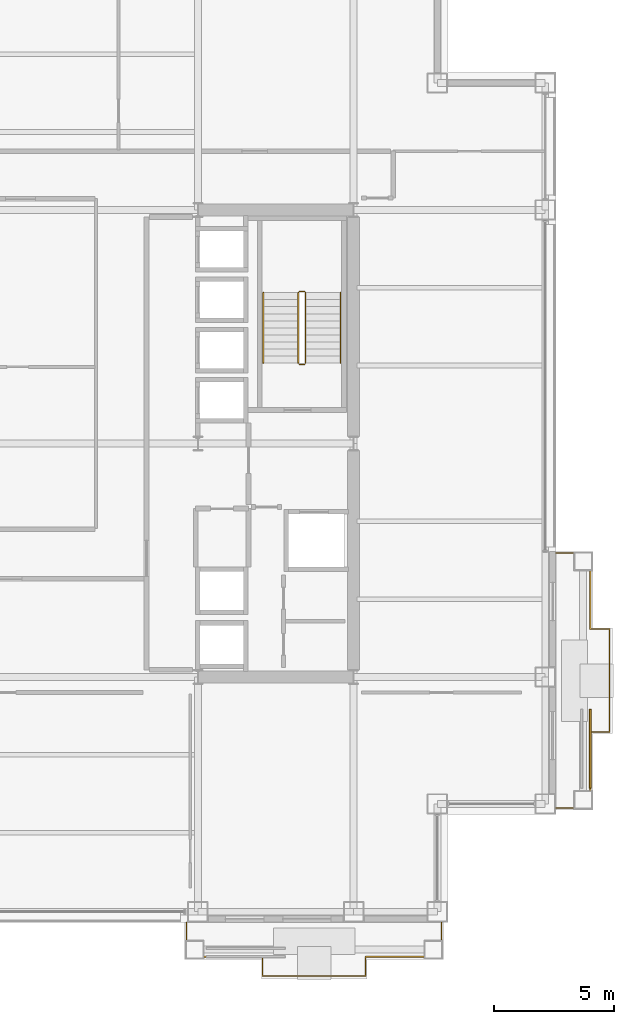
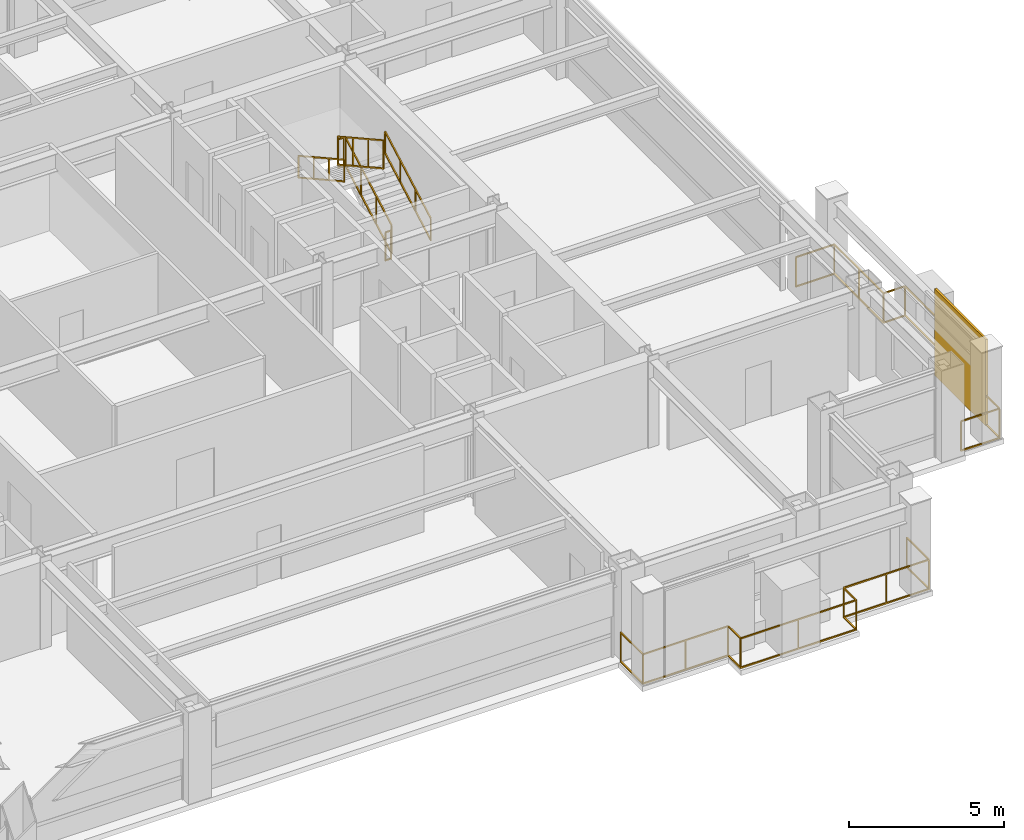
# One storey, part 28 of 29: 8 railings, 1 shading device.
"""IFC4 building model written with IfcOpenShell, lengths in metres."""

from ifc_helpers import new_model, si_unit, direction, frame, origin, origin_2d, place, context, subcontext, project, spatial, rectangle, extrude, material, layer, layer_set, type_object, element, save


model = new_model("IFC4")

# Units and contexts
model_context = context("Model", 3, precision=1e-05, world=origin(), true_north=direction((0.0, 1.0)))
body_context = subcontext(model_context, "Body", "Model", "MODEL_VIEW")
ifc_project = project(units=[si_unit("LENGTHUNIT", "METRE"), si_unit("AREAUNIT", "SQUARE_METRE"), si_unit("VOLUMEUNIT", "CUBIC_METRE"), si_unit("PLANEANGLEUNIT", "RADIAN"), si_unit("MASSUNIT", "GRAM", prefix="KILO")], contexts=[model_context])

# Site, building, storey
site_placement = place(None, origin())
site = spatial("IfcSite", under=ifc_project, at=site_placement, CompositionType="ELEMENT")
building_placement = place(site_placement, origin())
building = spatial("IfcBuilding", under=site, at=building_placement, Name="Brelmoor Portico Tower", CompositionType="ELEMENT")
storey_placement = place(building_placement, frame((0.0, 0.0, 95.39990234375)))
storey = spatial("IfcBuildingStorey", under=building, at=storey_placement, Name="L24", CompositionType="ELEMENT", Elevation=95.39990234375)

# Railings
ifc_material_1 = material(Name="Perforated Pale Champagne Aluminium Fretwork Guard", Category="aluminium")
railing_type_1 = type_object("IfcRailingType", Name="RL-BALUSTRADE-1200", PredefinedType="BALUSTRADE", material=ifc_material_1)
railing_1_placement = place(storey_placement, frame((7.580078125, -20.0, 0.0)))
element("IfcRailing", 1, at=railing_1_placement, inside=storey, type_object=railing_type_1, Name="L24 Tree Balcony Fretwork Balustrade S", PredefinedType="BALUSTRADE", context=body_context, shape_type="SweptSolid", body=[
    extrude(rectangle(XDim=0.048095703125, YDim=0.048095703125, at=origin_2d()), frame((0.0, 0.0, 1.17578125), z_axis=(0.0, -1.0, 0.0), x_axis=(1.0, 0.0, 0.0)), (0.0, 0.0, 1.0), 1.429931640625),
    extrude(rectangle(XDim=0.048095703125, YDim=0.048095703125, at=origin_2d()), frame((0.0, 0.0, 0.02392578125), z_axis=(0.0, -1.0, 0.0), x_axis=(1.0, 0.0, 0.0)), (0.0, 0.0, 1.0), 1.429931640625),
    extrude(rectangle(XDim=0.048095703125, YDim=0.048095703125, at=origin_2d()), frame((0.0, -1.429931640625, 1.17578125), z_axis=(1.0, 0.0, 0.0), x_axis=(0.0, 1.0, 0.0)), (0.0, 0.0, 1.0), 3.169921875),
    extrude(rectangle(XDim=0.048095703125, YDim=0.048095703125, at=origin_2d()), frame((0.0, -1.429931640625, 0.02392578125), z_axis=(1.0, 0.0, 0.0), x_axis=(0.0, 1.0, 0.0)), (0.0, 0.0, 1.0), 3.169921875),
    extrude(rectangle(XDim=0.048095703125, YDim=0.048095703125, at=origin_2d()), frame((3.169921875, -1.429931640625, 1.17578125), z_axis=(0.0, -1.0, 0.0), x_axis=(1.0, 0.0, 0.0)), (0.0, 0.0, 1.0), 0.800048828125),
    extrude(rectangle(XDim=0.048095703125, YDim=0.048095703125, at=origin_2d()), frame((3.169921875, -1.429931640625, 0.02392578125), z_axis=(0.0, -1.0, 0.0), x_axis=(1.0, 0.0, 0.0)), (0.0, 0.0, 1.0), 0.800048828125),
    extrude(rectangle(XDim=0.048095703125, YDim=0.048095703125, at=origin_2d()), frame((3.169921875, -2.22998046875, 1.17578125), z_axis=(1.0, 0.0, 0.0), x_axis=(0.0, 1.0, 0.0)), (0.0, 0.0, 1.0), 4.300048828125),
    extrude(rectangle(XDim=0.048095703125, YDim=0.048095703125, at=origin_2d()), frame((3.169921875, -2.22998046875, 0.02392578125), z_axis=(1.0, 0.0, 0.0), x_axis=(0.0, 1.0, 0.0)), (0.0, 0.0, 1.0), 4.300048828125),
    extrude(rectangle(XDim=0.048095703125, YDim=0.048095703125, at=origin_2d()), frame((7.469970703125, -2.22998046875, 1.17578125), z_axis=(0.0, 1.0, 0.0), x_axis=(-1.0, 0.0, 0.0)), (0.0, 0.0, 1.0), 0.800048828125),
    extrude(rectangle(XDim=0.048095703125, YDim=0.048095703125, at=origin_2d()), frame((7.469970703125, -2.22998046875, 0.02392578125), z_axis=(0.0, 1.0, 0.0), x_axis=(-1.0, 0.0, 0.0)), (0.0, 0.0, 1.0), 0.800048828125),
    extrude(rectangle(XDim=0.048095703125, YDim=0.048095703125, at=origin_2d()), frame((7.469970703125, -1.429931640625, 1.17578125), z_axis=(1.0, 0.0, 0.0), x_axis=(0.0, 1.0, 0.0)), (0.0, 0.0, 1.0), 3.169921875),
    extrude(rectangle(XDim=0.048095703125, YDim=0.048095703125, at=origin_2d()), frame((7.469970703125, -1.429931640625, 0.02392578125), z_axis=(1.0, 0.0, 0.0), x_axis=(0.0, 1.0, 0.0)), (0.0, 0.0, 1.0), 3.169921875),
    extrude(rectangle(XDim=0.048095703125, YDim=0.048095703125, at=origin_2d()), frame((10.639892578125, -1.429931640625, 1.17578125), z_axis=(0.0, 1.0, 0.0), x_axis=(-1.0, 0.0, 0.0)), (0.0, 0.0, 1.0), 1.429931640625),
    extrude(rectangle(XDim=0.048095703125, YDim=0.048095703125, at=origin_2d()), frame((10.639892578125, -1.429931640625, 0.02392578125), z_axis=(0.0, 1.0, 0.0), x_axis=(-1.0, 0.0, 0.0)), (0.0, 0.0, 1.0), 1.429931640625),
    extrude(rectangle(XDim=0.0419921875, YDim=0.0419921875, at=origin_2d()), origin(), (0.0, 0.0, 1.0), 1.15185546875),
    extrude(rectangle(XDim=0.0419921875, YDim=0.0419921875, at=origin_2d()), frame((0.0, -1.429931640625, 0.0)), (0.0, 0.0, 1.0), 1.15185546875),
    extrude(rectangle(XDim=0.0419921875, YDim=0.0419921875, at=origin_2d()), frame((1.5849609375, -1.429931640625, 0.0)), (0.0, 0.0, 1.0), 1.15185546875),
    extrude(rectangle(XDim=0.0419921875, YDim=0.0419921875, at=origin_2d()), frame((3.169921875, -1.429931640625, 0.0)), (0.0, 0.0, 1.0), 1.15185546875),
    extrude(rectangle(XDim=0.0419921875, YDim=0.0419921875, at=origin_2d()), frame((3.169921875, -2.22998046875, 0.0)), (0.0, 0.0, 1.0), 1.15185546875),
    extrude(rectangle(XDim=0.0419921875, YDim=0.0419921875, at=origin_2d()), frame((5.31982421875, -2.22998046875, 0.0)), (0.0, 0.0, 1.0), 1.15185546875),
    extrude(rectangle(XDim=0.0419921875, YDim=0.0419921875, at=origin_2d()), frame((7.469970703125, -2.22998046875, 0.0)), (0.0, 0.0, 1.0), 1.15185546875),
    extrude(rectangle(XDim=0.0419921875, YDim=0.0419921875, at=origin_2d()), frame((7.469970703125, -1.429931640625, 0.0)), (0.0, 0.0, 1.0), 1.15185546875),
    extrude(rectangle(XDim=0.0419921875, YDim=0.0419921875, at=origin_2d()), frame((9.054931640625, -1.429931640625, 0.0)), (0.0, 0.0, 1.0), 1.15185546875),
    extrude(rectangle(XDim=0.0419921875, YDim=0.0419921875, at=origin_2d()), frame((10.639892578125, -1.429931640625, 0.0)), (0.0, 0.0, 1.0), 1.15185546875),
    extrude(rectangle(XDim=0.0419921875, YDim=0.0419921875, at=origin_2d()), frame((10.639892578125, 0.0, 0.0)), (0.0, 0.0, 1.0), 1.15185546875),
])
railing_2_placement = place(storey_placement, frame((23.0, -15.219970703125, 0.0)))
element("IfcRailing", 2, at=railing_2_placement, inside=storey, type_object=railing_type_1, Name="L24 Tree Balcony Fretwork Balustrade E", PredefinedType="BALUSTRADE", context=body_context, shape_type="SweptSolid", body=[
    extrude(rectangle(XDim=0.048095703125, YDim=0.048095703125, at=origin_2d()), frame((0.0, 0.0, 1.17578125), z_axis=(1.0, 0.0, 0.0), x_axis=(0.0, 1.0, 0.0)), (0.0, 0.0, 1.0), 1.429931640625),
    extrude(rectangle(XDim=0.048095703125, YDim=0.048095703125, at=origin_2d()), frame((0.0, 0.0, 0.02392578125), z_axis=(1.0, 0.0, 0.0), x_axis=(0.0, 1.0, 0.0)), (0.0, 0.0, 1.0), 1.429931640625),
    extrude(rectangle(XDim=0.048095703125, YDim=0.048095703125, at=origin_2d()), frame((1.429931640625, 0.0, 1.17578125), z_axis=(0.0, 1.0, 0.0), x_axis=(-1.0, 0.0, 0.0)), (0.0, 0.0, 1.0), 3.169921875),
    extrude(rectangle(XDim=0.048095703125, YDim=0.048095703125, at=origin_2d()), frame((1.429931640625, 0.0, 0.02392578125), z_axis=(0.0, 1.0, 0.0), x_axis=(-1.0, 0.0, 0.0)), (0.0, 0.0, 1.0), 3.169921875),
    extrude(rectangle(XDim=0.048095703125, YDim=0.048095703125, at=origin_2d()), frame((1.429931640625, 3.169921875, 1.17578125), z_axis=(1.0, 0.0, 0.0), x_axis=(0.0, 1.0, 0.0)), (0.0, 0.0, 1.0), 0.800048828125),
    extrude(rectangle(XDim=0.048095703125, YDim=0.048095703125, at=origin_2d()), frame((1.429931640625, 3.169921875, 0.02392578125), z_axis=(1.0, 0.0, 0.0), x_axis=(0.0, 1.0, 0.0)), (0.0, 0.0, 1.0), 0.800048828125),
    extrude(rectangle(XDim=0.048095703125, YDim=0.048095703125, at=origin_2d()), frame((2.22998046875, 3.169921875, 1.17578125), z_axis=(0.0, 1.0, 0.0), x_axis=(-1.0, 0.0, 0.0)), (0.0, 0.0, 1.0), 4.300048828125),
    extrude(rectangle(XDim=0.048095703125, YDim=0.048095703125, at=origin_2d()), frame((2.22998046875, 3.169921875, 0.02392578125), z_axis=(0.0, 1.0, 0.0), x_axis=(-1.0, 0.0, 0.0)), (0.0, 0.0, 1.0), 4.300048828125),
    extrude(rectangle(XDim=0.048095703125, YDim=0.048095703125, at=origin_2d()), frame((2.22998046875, 7.469970703125, 1.17578125), z_axis=(-1.0, 0.0, 0.0), x_axis=(0.0, -1.0, 0.0)), (0.0, 0.0, 1.0), 0.800048828125),
    extrude(rectangle(XDim=0.048095703125, YDim=0.048095703125, at=origin_2d()), frame((2.22998046875, 7.469970703125, 0.02392578125), z_axis=(-1.0, 0.0, 0.0), x_axis=(0.0, -1.0, 0.0)), (0.0, 0.0, 1.0), 0.800048828125),
    extrude(rectangle(XDim=0.048095703125, YDim=0.048095703125, at=origin_2d()), frame((1.429931640625, 7.469970703125, 1.17578125), z_axis=(0.0, 1.0, 0.0), x_axis=(-1.0, 0.0, 0.0)), (0.0, 0.0, 1.0), 3.169921875),
    extrude(rectangle(XDim=0.048095703125, YDim=0.048095703125, at=origin_2d()), frame((1.429931640625, 7.469970703125, 0.02392578125), z_axis=(0.0, 1.0, 0.0), x_axis=(-1.0, 0.0, 0.0)), (0.0, 0.0, 1.0), 3.169921875),
    extrude(rectangle(XDim=0.048095703125, YDim=0.048095703125, at=origin_2d()), frame((1.429931640625, 10.639892578125, 1.17578125), z_axis=(-1.0, 0.0, 0.0), x_axis=(0.0, -1.0, 0.0)), (0.0, 0.0, 1.0), 1.429931640625),
    extrude(rectangle(XDim=0.048095703125, YDim=0.048095703125, at=origin_2d()), frame((1.429931640625, 10.639892578125, 0.02392578125), z_axis=(-1.0, 0.0, 0.0), x_axis=(0.0, -1.0, 0.0)), (0.0, 0.0, 1.0), 1.429931640625),
    extrude(rectangle(XDim=0.0419921875, YDim=0.0419921875, at=origin_2d()), origin(), (0.0, 0.0, 1.0), 1.15185546875),
    extrude(rectangle(XDim=0.0419921875, YDim=0.0419921875, at=origin_2d()), frame((1.429931640625, 0.0, 0.0)), (0.0, 0.0, 1.0), 1.15185546875),
    extrude(rectangle(XDim=0.0419921875, YDim=0.0419921875, at=origin_2d()), frame((1.429931640625, 1.5849609375, 0.0)), (0.0, 0.0, 1.0), 1.15185546875),
    extrude(rectangle(XDim=0.0419921875, YDim=0.0419921875, at=origin_2d()), frame((1.429931640625, 3.169921875, 0.0)), (0.0, 0.0, 1.0), 1.15185546875),
    extrude(rectangle(XDim=0.0419921875, YDim=0.0419921875, at=origin_2d()), frame((2.22998046875, 3.169921875, 0.0)), (0.0, 0.0, 1.0), 1.15185546875),
    extrude(rectangle(XDim=0.0419921875, YDim=0.0419921875, at=origin_2d()), frame((2.22998046875, 5.31982421875, 0.0)), (0.0, 0.0, 1.0), 1.15185546875),
    extrude(rectangle(XDim=0.0419921875, YDim=0.0419921875, at=origin_2d()), frame((2.22998046875, 7.469970703125, 0.0)), (0.0, 0.0, 1.0), 1.15185546875),
    extrude(rectangle(XDim=0.0419921875, YDim=0.0419921875, at=origin_2d()), frame((1.429931640625, 7.469970703125, 0.0)), (0.0, 0.0, 1.0), 1.15185546875),
    extrude(rectangle(XDim=0.0419921875, YDim=0.0419921875, at=origin_2d()), frame((1.429931640625, 9.054931640625, 0.0)), (0.0, 0.0, 1.0), 1.15185546875),
    extrude(rectangle(XDim=0.0419921875, YDim=0.0419921875, at=origin_2d()), frame((1.429931640625, 10.639892578125, 0.0)), (0.0, 0.0, 1.0), 1.15185546875),
    extrude(rectangle(XDim=0.0419921875, YDim=0.0419921875, at=origin_2d()), frame((0.0, 10.639892578125, 0.0)), (0.0, 0.0, 1.0), 1.15185546875),
])
ifc_material_2 = material(Name="Painted Tubular Steel Q235B", Category="steel")
railing_type_2 = type_object("IfcRailingType", Name="RL-STAIR-GUARD", PredefinedType="GUARDRAIL", material=ifc_material_2)
railing_3_placement = place(storey_placement, frame((12.5400390625, 3.35009765625, 0.163818359375)))
element("IfcRailing", 3, at=railing_3_placement, inside=storey, type_object=railing_type_2, Name="L24 ST-E stair guard 1", PredefinedType="GUARDRAIL", context=body_context, shape_type="SweptSolid", body=[
    extrude(rectangle(XDim=0.048095703125, YDim=0.048095703125, at=origin_2d()), frame((0.0, 0.0, 1.1259765625), z_axis=(0.0, 0.87448821551, 0.485046761595), x_axis=(-1.0, 0.0, 0.0)), (0.0, 0.0, 1.0), 3.373291015625),
    extrude(rectangle(XDim=0.048095703125, YDim=0.048095703125, at=origin_2d()), frame((0.0, 0.0, 0.02392578125), z_axis=(0.0, 0.87448821551, 0.485046761595), x_axis=(-1.0, 0.0, 0.0)), (0.0, 0.0, 1.0), 3.373291015625),
    extrude(rectangle(XDim=0.0419921875, YDim=0.0419921875, at=origin_2d()), origin(), (0.0, 0.0, 1.0), 1.101806640625),
    extrude(rectangle(XDim=0.0419921875, YDim=0.0419921875, at=origin_2d()), frame((0.0, 0.9833984375, 0.54541015625)), (0.0, 0.0, 1.0), 1.101806640625),
    extrude(rectangle(XDim=0.0419921875, YDim=0.0419921875, at=origin_2d()), frame((0.0, 1.966552734375, 1.0908203125)), (0.0, 0.0, 1.0), 1.101806640625),
    extrude(rectangle(XDim=0.0419921875, YDim=0.0419921875, at=origin_2d()), frame((0.0, 2.949951171875, 1.63623046875)), (0.0, 0.0, 1.0), 1.101806640625),
])
railing_4_placement = place(storey_placement, frame((12.489990234375, 6.35009765625, 1.800048828125)))
element("IfcRailing", 4, at=railing_4_placement, inside=storey, type_object=railing_type_2, Name="L24 ST-E stair guard 2", PredefinedType="GUARDRAIL", context=body_context, shape_type="SweptSolid", body=[
    extrude(rectangle(XDim=0.048095703125, YDim=0.048095703125, at=origin_2d()), frame((0.0, 0.0, 1.1259765625), z_axis=(-1.0, 0.0, 0.0), x_axis=(0.0, -1.0, 0.0)), (0.0, 0.0, 1.0), 0.199951171875),
    extrude(rectangle(XDim=0.048095703125, YDim=0.048095703125, at=origin_2d()), frame((0.0, 0.0, 0.02392578125), z_axis=(-1.0, 0.0, 0.0), x_axis=(0.0, -1.0, 0.0)), (0.0, 0.0, 1.0), 0.199951171875),
    extrude(rectangle(XDim=0.0419921875, YDim=0.0419921875, at=origin_2d()), origin(), (0.0, 0.0, 1.0), 1.101806640625),
    extrude(rectangle(XDim=0.0419921875, YDim=0.0419921875, at=origin_2d()), frame((-0.199951171875, 0.0, 0.0)), (0.0, 0.0, 1.0), 1.101806640625),
])
railing_5_placement = place(storey_placement, frame((12.239990234375, 6.300048828125, 1.963623046875)))
element("IfcRailing", 5, at=railing_5_placement, inside=storey, type_object=railing_type_2, Name="L24 ST-E stair guard 3", PredefinedType="GUARDRAIL", context=body_context, shape_type="SweptSolid", body=[
    extrude(rectangle(XDim=0.048095703125, YDim=0.048095703125, at=origin_2d()), frame((0.0, 0.0, 1.1259765625), z_axis=(0.0, -0.874457516365, 0.485102104791), x_axis=(1.0, 0.0, 0.0)), (0.0, 0.0, 1.0), 3.37353515625),
    extrude(rectangle(XDim=0.048095703125, YDim=0.048095703125, at=origin_2d()), frame((0.0, 0.0, 0.02392578125), z_axis=(0.0, -0.874457516365, 0.485102104791), x_axis=(1.0, 0.0, 0.0)), (0.0, 0.0, 1.0), 3.37353515625),
    extrude(rectangle(XDim=0.0419921875, YDim=0.0419921875, at=origin_2d()), origin(), (0.0, 0.0, 1.0), 1.101806640625),
    extrude(rectangle(XDim=0.0419921875, YDim=0.0419921875, at=origin_2d()), frame((0.0, -0.9833984375, 0.54541015625)), (0.0, 0.0, 1.0), 1.101806640625),
    extrude(rectangle(XDim=0.0419921875, YDim=0.0419921875, at=origin_2d()), frame((0.0, -1.966552734375, 1.091064453125)), (0.0, 0.0, 1.0), 1.101806640625),
    extrude(rectangle(XDim=0.0419921875, YDim=0.0419921875, at=origin_2d()), frame((0.0, -2.949951171875, 1.636474609375)), (0.0, 0.0, 1.0), 1.101806640625),
])
railing_6_placement = place(storey_placement, frame((12.489990234375, 3.300048828125, 0.0)))
element("IfcRailing", 6, at=railing_6_placement, inside=storey, type_object=railing_type_2, Name="L24 ST-E stair guard 4", PredefinedType="GUARDRAIL", context=body_context, shape_type="SweptSolid", body=[
    extrude(rectangle(XDim=0.048095703125, YDim=0.048095703125, at=origin_2d()), frame((0.0, 0.0, 1.1259765625), z_axis=(-1.0, 0.0, 0.0), x_axis=(0.0, -1.0, 0.0)), (0.0, 0.0, 1.0), 0.199951171875),
    extrude(rectangle(XDim=0.048095703125, YDim=0.048095703125, at=origin_2d()), frame((0.0, 0.0, 0.02392578125), z_axis=(-1.0, 0.0, 0.0), x_axis=(0.0, -1.0, 0.0)), (0.0, 0.0, 1.0), 0.199951171875),
    extrude(rectangle(XDim=0.0419921875, YDim=0.0419921875, at=origin_2d()), origin(), (0.0, 0.0, 1.0), 1.101806640625),
    extrude(rectangle(XDim=0.0419921875, YDim=0.0419921875, at=origin_2d()), frame((-0.199951171875, 0.0, 0.0)), (0.0, 0.0, 1.0), 1.101806640625),
])
ifc_material_3 = material(Name="Brushed Stainless Steel 304", Category="steel")
railing_type_3 = type_object("IfcRailingType", Name="RL-STAIR-HANDRAIL", PredefinedType="HANDRAIL", material=ifc_material_3)
railing_7_placement = place(storey_placement, frame((14.0, 3.35009765625, 0.163818359375)))
element("IfcRailing", 7, at=railing_7_placement, inside=storey, type_object=railing_type_3, Name="L24 ST-E stair handrail 1", PredefinedType="HANDRAIL", context=body_context, shape_type="SweptSolid", body=[
    extrude(rectangle(XDim=0.048095703125, YDim=0.048095703125, at=origin_2d()), frame((0.0, 0.0, 0.8759765625), z_axis=(0.0, 0.87448821551, 0.485046761595), x_axis=(-1.0, 0.0, 0.0)), (0.0, 0.0, 1.0), 3.373291015625),
    extrude(rectangle(XDim=0.048095703125, YDim=0.048095703125, at=origin_2d()), frame((0.0, 0.0, 0.02392578125), z_axis=(0.0, 0.87448821551, 0.485046761595), x_axis=(-1.0, 0.0, 0.0)), (0.0, 0.0, 1.0), 3.373291015625),
    extrude(rectangle(XDim=0.0419921875, YDim=0.0419921875, at=origin_2d()), origin(), (0.0, 0.0, 1.0), 0.851806640625),
    extrude(rectangle(XDim=0.0419921875, YDim=0.0419921875, at=origin_2d()), frame((0.0, 0.9833984375, 0.54541015625)), (0.0, 0.0, 1.0), 0.851806640625),
    extrude(rectangle(XDim=0.0419921875, YDim=0.0419921875, at=origin_2d()), frame((0.0, 1.966552734375, 1.0908203125)), (0.0, 0.0, 1.0), 0.851806640625),
    extrude(rectangle(XDim=0.0419921875, YDim=0.0419921875, at=origin_2d()), frame((0.0, 2.949951171875, 1.63623046875)), (0.0, 0.0, 1.0), 0.851806640625),
])
railing_8_placement = place(storey_placement, frame((10.780029296875, 6.300048828125, 1.963623046875)))
element("IfcRailing", 8, at=railing_8_placement, inside=storey, type_object=railing_type_3, Name="L24 ST-E stair handrail 2", PredefinedType="HANDRAIL", context=body_context, shape_type="SweptSolid", body=[
    extrude(rectangle(XDim=0.048095703125, YDim=0.048095703125, at=origin_2d()), frame((0.0, 0.0, 0.8759765625), z_axis=(0.0, -0.874457516365, 0.485102104791), x_axis=(1.0, 0.0, 0.0)), (0.0, 0.0, 1.0), 3.37353515625),
    extrude(rectangle(XDim=0.048095703125, YDim=0.048095703125, at=origin_2d()), frame((0.0, 0.0, 0.02392578125), z_axis=(0.0, -0.874457516365, 0.485102104791), x_axis=(1.0, 0.0, 0.0)), (0.0, 0.0, 1.0), 3.37353515625),
    extrude(rectangle(XDim=0.0419921875, YDim=0.0419921875, at=origin_2d()), origin(), (0.0, 0.0, 1.0), 0.851806640625),
    extrude(rectangle(XDim=0.0419921875, YDim=0.0419921875, at=origin_2d()), frame((0.0, -0.9833984375, 0.54541015625)), (0.0, 0.0, 1.0), 0.851806640625),
    extrude(rectangle(XDim=0.0419921875, YDim=0.0419921875, at=origin_2d()), frame((0.0, -1.966552734375, 1.091064453125)), (0.0, 0.0, 1.0), 0.851806640625),
    extrude(rectangle(XDim=0.0419921875, YDim=0.0419921875, at=origin_2d()), frame((0.0, -2.949951171875, 1.636474609375)), (0.0, 0.0, 1.0), 0.851806640625),
])

# Shading device
ifc_material_4 = material(Name="Powder-Coated Aluminium Shuttered Jalousie", Category="aluminium")
ifc_layer = layer(ifc_material_4, 0.080078125)
ifc_layer_set = layer_set([ifc_layer], Name="Powder-Coated Aluminium Shuttered Jalousie")
shading_device_type = type_object("IfcShadingDeviceType", Name="SD-JALOUSIE-LOGGIA", PredefinedType="JALOUSIE", material=ifc_layer_set)
shading_device_placement = place(storey_placement, frame((24.429931640625, -12.75, 0.000244140625), z_axis=(0.0, 0.0, 1.0), x_axis=(0.0, 1.0, 0.0)))
element("IfcShadingDevice", 9, at=shading_device_placement, inside=storey, type_object=shading_device_type, Name="L24 Loggia Shuttered Jalousie E", PredefinedType="JALOUSIE", context=body_context, shape_type="SweptSolid", body=[
    extrude(rectangle(XDim=3.300048828125, YDim=0.080078125, at=origin_2d()), origin(), (0.0, 0.0, 1.0), 3.39990234375),
])

save(model, "model.ifc")
